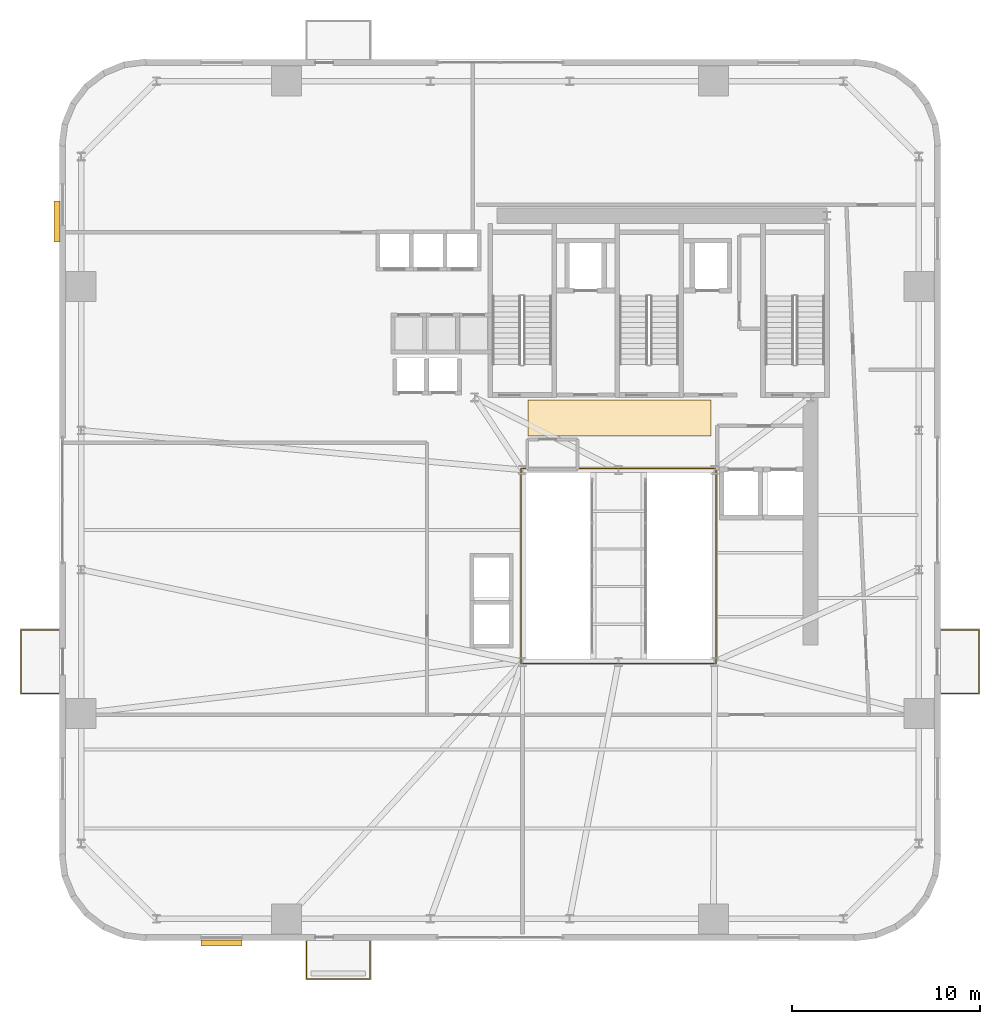
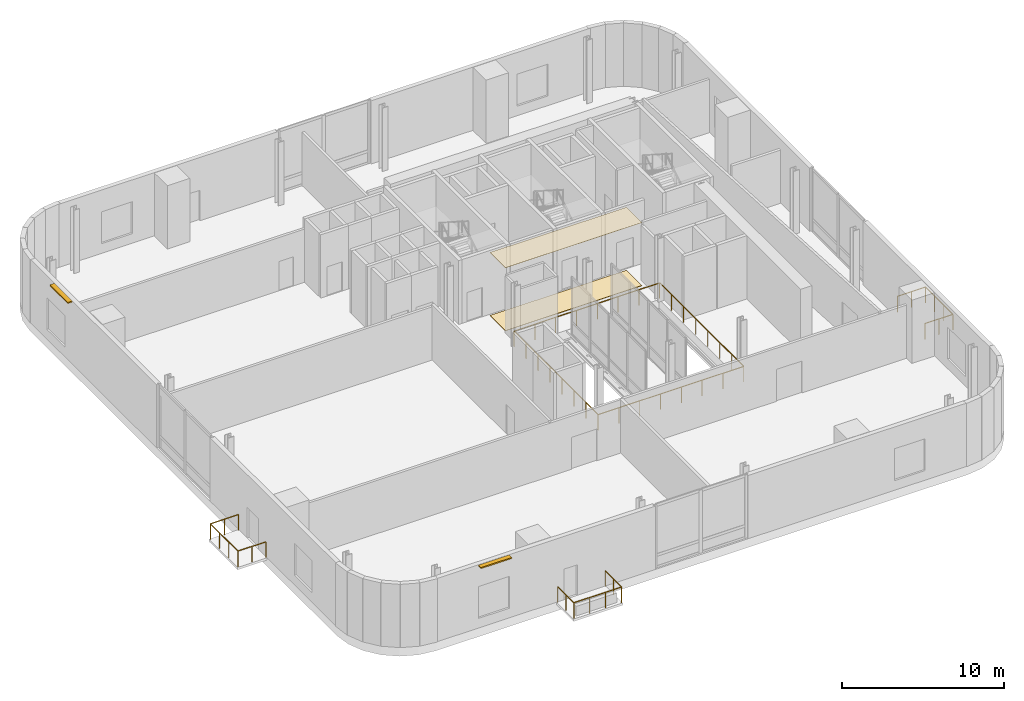
# One storey, part 11 of 13: 4 railings, 2 coverings, 2 shading devices.
"""IFC4 building model written with IfcOpenShell, lengths in metres."""

from ifc_helpers import new_model, si_unit, direction, frame, origin, origin_2d, place, context, subcontext, project, spatial, polyline, rectangle, outline, extrude, source, transform, mapped, material, layer, layer_set, type_object, element, save


model = new_model("IFC4")

# Units and contexts
model_context = context("Model", 3, precision=1e-05, world=origin(), true_north=direction((0.0, 1.0)))
body_context = subcontext(model_context, "Body", "Model", "MODEL_VIEW")
ifc_project = project(units=[si_unit("LENGTHUNIT", "METRE"), si_unit("AREAUNIT", "SQUARE_METRE"), si_unit("VOLUMEUNIT", "CUBIC_METRE"), si_unit("PLANEANGLEUNIT", "RADIAN"), si_unit("MASSUNIT", "GRAM", prefix="KILO")], contexts=[model_context])

# Site, building, storey
site_placement = place(None, origin())
site = spatial("IfcSite", under=ifc_project, at=site_placement, CompositionType="ELEMENT")
building_placement = place(site_placement, origin())
building = spatial("IfcBuilding", under=site, at=building_placement, Name="Vardaveli Station Tower", CompositionType="ELEMENT")
storey_placement = place(building_placement, frame((0.0, 0.0, 98.699951171875)))
storey = spatial("IfcBuildingStorey", under=building, at=storey_placement, Name="L25", CompositionType="ELEMENT", Elevation=98.699951171875)

# Coverings
ifc_material_1 = material(Name="Perforated acoustic mineral ceiling")
ifc_layer_1 = layer(ifc_material_1, 0.02001953125, Name="Perforated acoustic mineral ceiling")
ifc_layer_set_1 = layer_set([ifc_layer_1], Name="Perforated acoustic mineral ceiling")
covering_type_1 = type_object("IfcCoveringType", Name="COV-CEIL-AC20", PredefinedType="CEILING", material=ifc_layer_set_1)
covering_1_placement = place(storey_placement, frame((0.0, 0.0, 4.7451171875)))
element("IfcCovering", 1, at=covering_1_placement, inside=storey, type_object=covering_type_1, Name="CEIL-L25-1", PredefinedType="CEILING", context=body_context, shape_type="SweptSolid", body=[
    extrude(outline(polyline([(31.5, 28.60009765625), (41.199951171875, 28.60009765625), (41.199951171875, 30.5), (31.5, 30.5), (31.5, 28.60009765625)])), origin(), (0.0, 0.0, 1.0), 0.02001953125),
])
ifc_material_2 = material(Name="Honed Caucasian basalt and travertine flooring", Category="masonry")
ifc_layer_2 = layer(ifc_material_2, 0.030029296875, Name="Honed Caucasian basalt and travertine flooring")
ifc_layer_set_2 = layer_set([ifc_layer_2], Name="Honed Caucasian basalt and travertine flooring")
covering_type_2 = type_object("IfcCoveringType", Name="COV-FLOOR-ST30", PredefinedType="FLOORING", material=ifc_layer_set_2)
covering_2_placement = place(storey_placement, origin())
element("IfcCovering", 2, at=covering_2_placement, inside=storey, type_object=covering_type_2, Name="FLR-L25-1", PredefinedType="FLOORING", context=body_context, shape_type="SweptSolid", body=[
    extrude(outline(polyline([(31.5, 28.60009765625), (41.199951171875, 28.60009765625), (41.199951171875, 30.5), (31.5, 30.5), (31.5, 28.60009765625)])), origin(), (0.0, 0.0, 1.0), 0.030029296875),
])

# Railing
ifc_material_3 = material(Name="Laminated glass and stainless steel balustrade", Category="steel")
railing_type = type_object("IfcRailingType", Name="RL-BAL-1200", PredefinedType="BALUSTRADE", material=ifc_material_3)
shared_shape_1 = source(origin(), body_context, "Body", "SweptSolid", [
    extrude(rectangle(XDim=0.048095703125, YDim=0.048095703125, at=origin_2d()), frame((0.0, 0.0, 1.17578125), z_axis=(0.0, -1.0, 0.0), x_axis=(1.0, 0.0, 0.0)), (0.0, 0.0, 1.0), 2.0),
    extrude(rectangle(XDim=0.048095703125, YDim=0.048095703125, at=origin_2d()), frame((0.0, -2.0, 1.17578125), z_axis=(1.0, 0.0, 0.0), x_axis=(0.0, 1.0, 0.0)), (0.0, 0.0, 1.0), 3.3798828125),
    extrude(rectangle(XDim=0.048095703125, YDim=0.048095703125, at=origin_2d()), frame((3.3798828125, -2.0, 1.17578125), z_axis=(0.0, 1.0, 0.0), x_axis=(-1.0, 0.0, 0.0)), (0.0, 0.0, 1.0), 2.0),
    extrude(rectangle(XDim=0.0419921875, YDim=0.0419921875, at=origin_2d()), origin(), (0.0, 0.0, 1.0), 1.15185546875),
    extrude(rectangle(XDim=0.0419921875, YDim=0.0419921875, at=origin_2d()), frame((0.0, -1.0, 0.0)), (0.0, 0.0, 1.0), 1.15185546875),
    extrude(rectangle(XDim=0.0419921875, YDim=0.0419921875, at=origin_2d()), frame((0.0, -2.0, 0.0)), (0.0, 0.0, 1.0), 1.15185546875),
    extrude(rectangle(XDim=0.0419921875, YDim=0.0419921875, at=origin_2d()), frame((1.126708984375, -2.0, 0.0)), (0.0, 0.0, 1.0), 1.15185546875),
    extrude(rectangle(XDim=0.0419921875, YDim=0.0419921875, at=origin_2d()), frame((2.253173828125, -2.0, 0.0)), (0.0, 0.0, 1.0), 1.15185546875),
    extrude(rectangle(XDim=0.0419921875, YDim=0.0419921875, at=origin_2d()), frame((3.3798828125, -2.0, 0.0)), (0.0, 0.0, 1.0), 1.15185546875),
    extrude(rectangle(XDim=0.0419921875, YDim=0.0419921875, at=origin_2d()), frame((3.3798828125, -1.0, 0.0)), (0.0, 0.0, 1.0), 1.15185546875),
    extrude(rectangle(XDim=0.0419921875, YDim=0.0419921875, at=origin_2d()), frame((3.3798828125, 0.0, 0.0)), (0.0, 0.0, 1.0), 1.15185546875),
])
railing_1_placement = place(storey_placement, frame((19.720458984375, 1.760009765625, 0.0)))
element("IfcRailing", 3, at=railing_1_placement, inside=storey, type_object=railing_type, Name="RL-LOG-L25-01", PredefinedType="BALUSTRADE", context=body_context, shape_type="MappedRepresentation", body=[
    mapped(shared_shape_1, transform((0.0, 0.0, 0.0), scale=1.0)),
])

# Shading devices
ifc_material_4 = material(Name="Anodised champagne aluminium sunshade", Category="aluminium")
ifc_layer_3 = layer(ifc_material_4, 0.090087890625, Name="Anodised champagne aluminium sunshade")
ifc_layer_set_3 = layer_set([ifc_layer_3], Name="Anodised champagne aluminium sunshade")
shading_device_type = type_object("IfcShadingDeviceType", Name="SHD-SUNSHADE", PredefinedType="USERDEFINED", material=ifc_layer_set_3)
shared_shape_2 = source(origin(), body_context, "Body", "SweptSolid", [
    extrude(rectangle(XDim=2.199951171875, YDim=0.320068359375, at=origin_2d()), origin(), (0.0, 0.0, 1.0), 0.090087890625),
])
for number, where, z_axis, x_axis, name in (
    (4, (15.205078125, 1.655029296875, 4.64013671875), (0.0, 0.0, 1.0), (1.0, 0.0, 0.0), "SHD-SS-L25-S"),
    (5, (6.455078125, 39.9951171875, 4.64013671875), (0.0, 0.0, 1.0), (0.0, 1.0, 0.0), "SHD-SS-L25-W"),
):
    element("IfcShadingDevice", number, at=place(storey_placement, frame(where, z_axis=z_axis, x_axis=x_axis)), inside=storey, type_object=shading_device_type, Name=name, ObjectType="SUNSHADE", PredefinedType="USERDEFINED", context=body_context, shape_type="MappedRepresentation", body=[
        mapped(shared_shape_2, transform((0.0, 0.0, 0.0), scale=1.0)),
    ])

# Railings
shared_shape_3 = source(origin(), body_context, "Body", "SweptSolid", [
    extrude(rectangle(XDim=0.048095703125, YDim=0.048095703125, at=origin_2d()), frame((0.0, 0.0, 1.17578125), z_axis=(1.0, 0.0, 0.0), x_axis=(0.0, 1.0, 0.0)), (0.0, 0.0, 1.0), 2.0),
    extrude(rectangle(XDim=0.048095703125, YDim=0.048095703125, at=origin_2d()), frame((2.0, 0.0, 1.17578125), z_axis=(0.0, 1.0, 0.0), x_axis=(-1.0, 0.0, 0.0)), (0.0, 0.0, 1.0), 3.3798828125),
    extrude(rectangle(XDim=0.048095703125, YDim=0.048095703125, at=origin_2d()), frame((2.0, 3.3798828125, 1.17578125), z_axis=(-1.0, 0.0, 0.0), x_axis=(0.0, -1.0, 0.0)), (0.0, 0.0, 1.0), 2.0),
    extrude(rectangle(XDim=0.0419921875, YDim=0.0419921875, at=origin_2d()), origin(), (0.0, 0.0, 1.0), 1.15185546875),
    extrude(rectangle(XDim=0.0419921875, YDim=0.0419921875, at=origin_2d()), frame((1.0, 0.0, 0.0)), (0.0, 0.0, 1.0), 1.15185546875),
    extrude(rectangle(XDim=0.0419921875, YDim=0.0419921875, at=origin_2d()), frame((2.0, 0.0, 0.0)), (0.0, 0.0, 1.0), 1.15185546875),
    extrude(rectangle(XDim=0.0419921875, YDim=0.0419921875, at=origin_2d()), frame((2.0, 1.126708984375, 0.0)), (0.0, 0.0, 1.0), 1.15185546875),
    extrude(rectangle(XDim=0.0419921875, YDim=0.0419921875, at=origin_2d()), frame((2.0, 2.253173828125, 0.0)), (0.0, 0.0, 1.0), 1.15185546875),
    extrude(rectangle(XDim=0.0419921875, YDim=0.0419921875, at=origin_2d()), frame((2.0, 3.3798828125, 0.0)), (0.0, 0.0, 1.0), 1.15185546875),
    extrude(rectangle(XDim=0.0419921875, YDim=0.0419921875, at=origin_2d()), frame((1.0, 3.3798828125, 0.0)), (0.0, 0.0, 1.0), 1.15185546875),
    extrude(rectangle(XDim=0.0419921875, YDim=0.0419921875, at=origin_2d()), frame((0.0, 3.3798828125, 0.0)), (0.0, 0.0, 1.0), 1.15185546875),
])
railing_2_placement = place(storey_placement, frame((53.43994140625, 14.92041015625, 0.0)))
element("IfcRailing", 6, at=railing_2_placement, inside=storey, type_object=railing_type, Name="RL-LOG-L25-04", PredefinedType="BALUSTRADE", context=body_context, shape_type="MappedRepresentation", body=[
    mapped(shared_shape_3, transform((0.0, 0.0, 0.0), scale=1.0)),
])
shared_shape_4 = source(origin(), body_context, "Body", "SweptSolid", [
    extrude(rectangle(XDim=0.048095703125, YDim=0.048095703125, at=origin_2d()), frame((0.0, 0.0, 1.17578125), z_axis=(-1.0, 0.0, 0.0), x_axis=(0.0, -1.0, 0.0)), (0.0, 0.0, 1.0), 2.0),
    extrude(rectangle(XDim=0.048095703125, YDim=0.048095703125, at=origin_2d()), frame((-2.0, 0.0, 1.17578125), z_axis=(0.0, 1.0, 0.0), x_axis=(-1.0, 0.0, 0.0)), (0.0, 0.0, 1.0), 3.3798828125),
    extrude(rectangle(XDim=0.048095703125, YDim=0.048095703125, at=origin_2d()), frame((-2.0, 3.3798828125, 1.17578125), z_axis=(1.0, 0.0, 0.0), x_axis=(0.0, 1.0, 0.0)), (0.0, 0.0, 1.0), 2.0),
    extrude(rectangle(XDim=0.0419921875, YDim=0.0419921875, at=origin_2d()), origin(), (0.0, 0.0, 1.0), 1.15185546875),
    extrude(rectangle(XDim=0.0419921875, YDim=0.0419921875, at=origin_2d()), frame((-1.0, 0.0, 0.0)), (0.0, 0.0, 1.0), 1.15185546875),
    extrude(rectangle(XDim=0.0419921875, YDim=0.0419921875, at=origin_2d()), frame((-2.0, 0.0, 0.0)), (0.0, 0.0, 1.0), 1.15185546875),
    extrude(rectangle(XDim=0.0419921875, YDim=0.0419921875, at=origin_2d()), frame((-2.0, 1.126708984375, 0.0)), (0.0, 0.0, 1.0), 1.15185546875),
    extrude(rectangle(XDim=0.0419921875, YDim=0.0419921875, at=origin_2d()), frame((-2.0, 2.253173828125, 0.0)), (0.0, 0.0, 1.0), 1.15185546875),
    extrude(rectangle(XDim=0.0419921875, YDim=0.0419921875, at=origin_2d()), frame((-2.0, 3.3798828125, 0.0)), (0.0, 0.0, 1.0), 1.15185546875),
    extrude(rectangle(XDim=0.0419921875, YDim=0.0419921875, at=origin_2d()), frame((-1.0, 3.3798828125, 0.0)), (0.0, 0.0, 1.0), 1.15185546875),
    extrude(rectangle(XDim=0.0419921875, YDim=0.0419921875, at=origin_2d()), frame((0.0, 3.3798828125, 0.0)), (0.0, 0.0, 1.0), 1.15185546875),
])
railing_3_placement = place(storey_placement, frame((6.56005859375, 14.92041015625, 0.0)))
element("IfcRailing", 7, at=railing_3_placement, inside=storey, type_object=railing_type, Name="RL-LOG-L25-03", PredefinedType="BALUSTRADE", context=body_context, shape_type="MappedRepresentation", body=[
    mapped(shared_shape_4, transform((0.0, 0.0, 0.0), scale=1.0)),
])
shared_shape_5 = source(origin(), body_context, "Body", "SweptSolid", [
    extrude(rectangle(XDim=0.048095703125, YDim=0.048095703125, at=origin_2d()), frame((0.0, 0.0, 1.17578125), z_axis=(1.0, 0.0, 0.0), x_axis=(0.0, 1.0, 0.0)), (0.0, 0.0, 1.0), 10.35986328125),
    extrude(rectangle(XDim=0.048095703125, YDim=0.048095703125, at=origin_2d()), frame((10.35986328125, 0.0, 1.17578125), z_axis=(0.0, 1.0, 0.0), x_axis=(-1.0, 0.0, 0.0)), (0.0, 0.0, 1.0), 10.35986328125),
    extrude(rectangle(XDim=0.048095703125, YDim=0.048095703125, at=origin_2d()), frame((10.35986328125, 10.35986328125, 1.17578125), z_axis=(-1.0, 0.0, 0.0), x_axis=(0.0, -1.0, 0.0)), (0.0, 0.0, 1.0), 10.35986328125),
    extrude(rectangle(XDim=0.048095703125, YDim=0.048095703125, at=origin_2d()), frame((0.0, 10.35986328125, 1.17578125), z_axis=(0.0, -1.0, 0.0), x_axis=(1.0, 0.0, 0.0)), (0.0, 0.0, 1.0), 10.35986328125),
    extrude(rectangle(XDim=0.0419921875, YDim=0.0419921875, at=origin_2d()), origin(), (0.0, 0.0, 1.0), 1.15185546875),
    extrude(rectangle(XDim=0.0419921875, YDim=0.0419921875, at=origin_2d()), frame((1.47998046875, 0.0, 0.0)), (0.0, 0.0, 1.0), 1.15185546875),
    extrude(rectangle(XDim=0.0419921875, YDim=0.0419921875, at=origin_2d()), frame((2.9599609375, 0.0, 0.0)), (0.0, 0.0, 1.0), 1.15185546875),
    extrude(rectangle(XDim=0.0419921875, YDim=0.0419921875, at=origin_2d()), frame((4.43994140625, 0.0, 0.0)), (0.0, 0.0, 1.0), 1.15185546875),
    extrude(rectangle(XDim=0.0419921875, YDim=0.0419921875, at=origin_2d()), frame((5.919921875, 0.0, 0.0)), (0.0, 0.0, 1.0), 1.15185546875),
    extrude(rectangle(XDim=0.0419921875, YDim=0.0419921875, at=origin_2d()), frame((7.39990234375, 0.0, 0.0)), (0.0, 0.0, 1.0), 1.15185546875),
    extrude(rectangle(XDim=0.0419921875, YDim=0.0419921875, at=origin_2d()), frame((8.8798828125, 0.0, 0.0)), (0.0, 0.0, 1.0), 1.15185546875),
    extrude(rectangle(XDim=0.0419921875, YDim=0.0419921875, at=origin_2d()), frame((10.35986328125, 0.0, 0.0)), (0.0, 0.0, 1.0), 1.15185546875),
    extrude(rectangle(XDim=0.0419921875, YDim=0.0419921875, at=origin_2d()), frame((10.35986328125, 1.47998046875, 0.0)), (0.0, 0.0, 1.0), 1.15185546875),
    extrude(rectangle(XDim=0.0419921875, YDim=0.0419921875, at=origin_2d()), frame((10.35986328125, 2.9599609375, 0.0)), (0.0, 0.0, 1.0), 1.15185546875),
    extrude(rectangle(XDim=0.0419921875, YDim=0.0419921875, at=origin_2d()), frame((10.35986328125, 4.43994140625, 0.0)), (0.0, 0.0, 1.0), 1.15185546875),
    extrude(rectangle(XDim=0.0419921875, YDim=0.0419921875, at=origin_2d()), frame((10.35986328125, 5.919921875, 0.0)), (0.0, 0.0, 1.0), 1.15185546875),
    extrude(rectangle(XDim=0.0419921875, YDim=0.0419921875, at=origin_2d()), frame((10.35986328125, 7.39990234375, 0.0)), (0.0, 0.0, 1.0), 1.15185546875),
    extrude(rectangle(XDim=0.0419921875, YDim=0.0419921875, at=origin_2d()), frame((10.35986328125, 8.8798828125, 0.0)), (0.0, 0.0, 1.0), 1.15185546875),
    extrude(rectangle(XDim=0.0419921875, YDim=0.0419921875, at=origin_2d()), frame((10.35986328125, 10.35986328125, 0.0)), (0.0, 0.0, 1.0), 1.15185546875),
    extrude(rectangle(XDim=0.0419921875, YDim=0.0419921875, at=origin_2d()), frame((8.8798828125, 10.35986328125, 0.0)), (0.0, 0.0, 1.0), 1.15185546875),
    extrude(rectangle(XDim=0.0419921875, YDim=0.0419921875, at=origin_2d()), frame((7.39990234375, 10.35986328125, 0.0)), (0.0, 0.0, 1.0), 1.15185546875),
    extrude(rectangle(XDim=0.0419921875, YDim=0.0419921875, at=origin_2d()), frame((5.919921875, 10.35986328125, 0.0)), (0.0, 0.0, 1.0), 1.15185546875),
    extrude(rectangle(XDim=0.0419921875, YDim=0.0419921875, at=origin_2d()), frame((4.43994140625, 10.35986328125, 0.0)), (0.0, 0.0, 1.0), 1.15185546875),
    extrude(rectangle(XDim=0.0419921875, YDim=0.0419921875, at=origin_2d()), frame((2.9599609375, 10.35986328125, 0.0)), (0.0, 0.0, 1.0), 1.15185546875),
    extrude(rectangle(XDim=0.0419921875, YDim=0.0419921875, at=origin_2d()), frame((1.47998046875, 10.35986328125, 0.0)), (0.0, 0.0, 1.0), 1.15185546875),
    extrude(rectangle(XDim=0.0419921875, YDim=0.0419921875, at=origin_2d()), frame((0.0, 10.35986328125, 0.0)), (0.0, 0.0, 1.0), 1.15185546875),
    extrude(rectangle(XDim=0.0419921875, YDim=0.0419921875, at=origin_2d()), frame((0.0, 8.8798828125, 0.0)), (0.0, 0.0, 1.0), 1.15185546875),
    extrude(rectangle(XDim=0.0419921875, YDim=0.0419921875, at=origin_2d()), frame((0.0, 7.39990234375, 0.0)), (0.0, 0.0, 1.0), 1.15185546875),
    extrude(rectangle(XDim=0.0419921875, YDim=0.0419921875, at=origin_2d()), frame((0.0, 5.919921875, 0.0)), (0.0, 0.0, 1.0), 1.15185546875),
    extrude(rectangle(XDim=0.0419921875, YDim=0.0419921875, at=origin_2d()), frame((0.0, 4.43994140625, 0.0)), (0.0, 0.0, 1.0), 1.15185546875),
    extrude(rectangle(XDim=0.0419921875, YDim=0.0419921875, at=origin_2d()), frame((0.0, 2.9599609375, 0.0)), (0.0, 0.0, 1.0), 1.15185546875),
    extrude(rectangle(XDim=0.0419921875, YDim=0.0419921875, at=origin_2d()), frame((0.0, 1.47998046875, 0.0)), (0.0, 0.0, 1.0), 1.15185546875),
])
railing_4_placement = place(storey_placement, frame((31.1201171875, 16.52001953125, 0.0)))
element("IfcRailing", 8, at=railing_4_placement, inside=storey, type_object=railing_type, Name="RL-ATR-L25", PredefinedType="BALUSTRADE", context=body_context, shape_type="MappedRepresentation", body=[
    mapped(shared_shape_5, transform((0.0, 0.0, 0.0), scale=1.0)),
])

save(model, "model.ifc")
